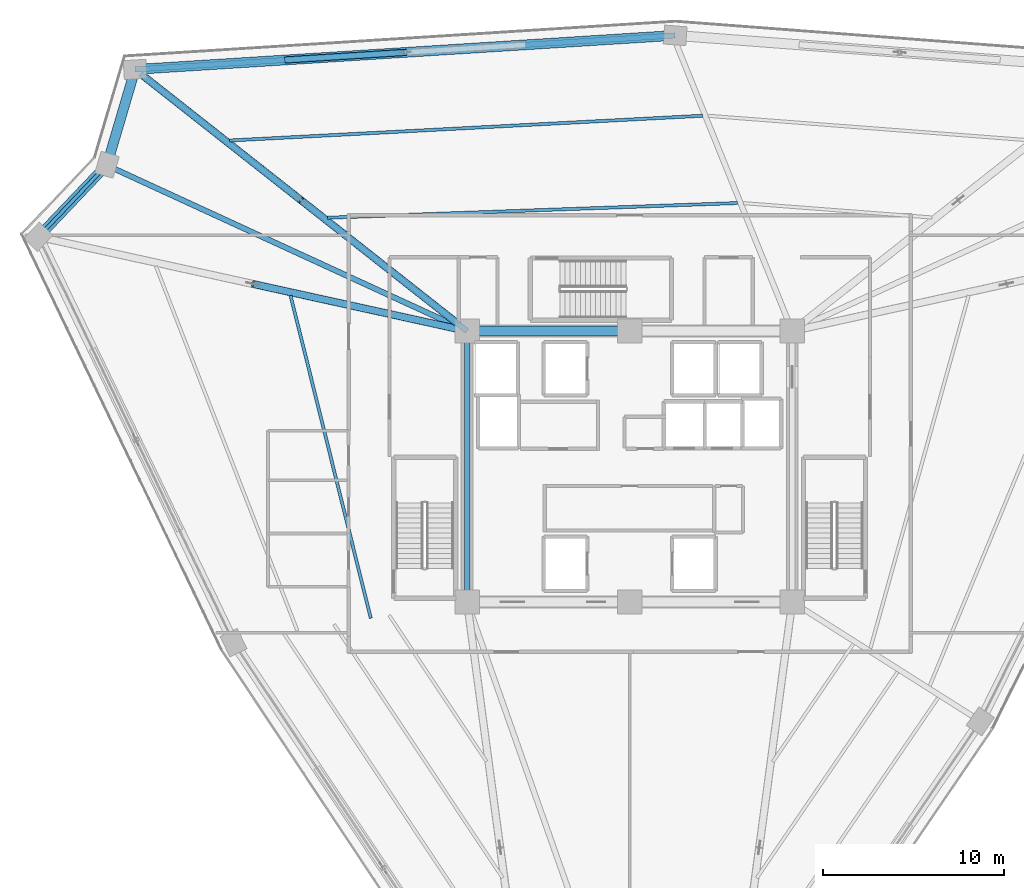
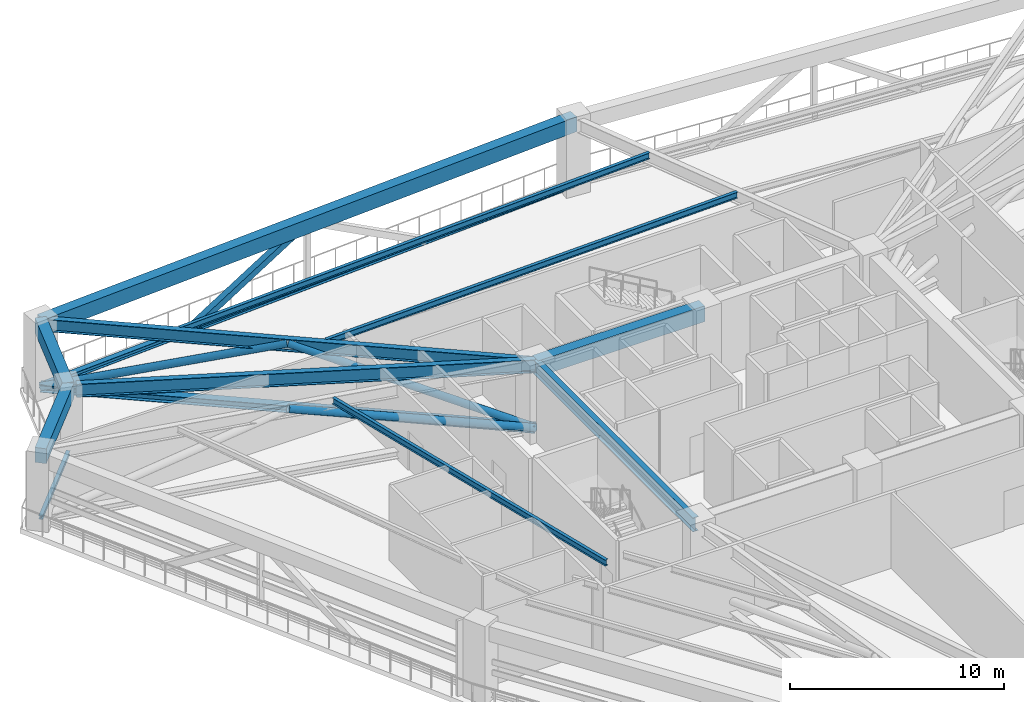
# One storey, part 6 of 25: 10 beams, 7 members.
"""IFC4 building model written with IfcOpenShell, lengths in metres."""

import ifcopenshell
import ifcopenshell.guid

model = None  # the IFC model being written
_history = None  # IfcOwnerHistory: only IFC2X3 demands one
_inside = {}  # id of a spatial element -> (the spatial element, [elements in it])
_under = {}  # id of a project, library or spatial element -> (it, [spatial elements below it])
_declared = {}  # id of a project -> (the project, [libraries it declares])
_typed = {}  # id of a type object -> (the type object, [elements of that type])
_made_of = {}  # id of a material, layer set ... -> (it, [elements and type objects made of it])


def new_model(schema):
    """Start an empty IFC model of exactly this schema.

    Asked for "IFC4X3", IfcOpenShell would pick the latest addendum, in which some entities
    have other attributes; the version numbers below select the first issue.
    IFC2X3 requires an IfcOwnerHistory on every rooted entity: one is made here for all.
    """
    global model, _history
    if schema == "IFC4X3":
        model = ifcopenshell.file(schema_version=(4, 3, 0, 0))
    else:
        model = ifcopenshell.file(schema=schema)
    _inside.clear()
    _under.clear()
    _declared.clear()
    _typed.clear()
    _made_of.clear()
    _history = None
    if model.schema == "IFC2X3":
        org = make("IfcOrganization", Name="unknown")
        user = make(
            "IfcPersonAndOrganization",
            ThePerson=make("IfcPerson", FamilyName="unknown"),
            TheOrganization=org,
        )
        app = make(
            "IfcApplication",
            ApplicationDeveloper=org,
            Version="unknown",
            ApplicationFullName="unknown",
            ApplicationIdentifier="unknown",
        )
        _history = make(
            "IfcOwnerHistory",
            OwningUser=user,
            OwningApplication=app,
            ChangeAction="ADDED",
            CreationDate=0,
        )
    return model


def make(cls, **values):
    """One entity of the class cls with the attributes given. An attribute that is None is left unset."""
    return model.create_entity(
        cls, **{name: value for name, value in values.items() if value is not None}
    )


def rooted(cls, **values):
    """An entity with a GlobalId (a new one), such as an element, a storey or a relation."""
    return make(cls, GlobalId=ifcopenshell.guid.new(), OwnerHistory=_history, **values)


def si_unit(unit_type, name, prefix=None):
    """IfcSIUnit, for example si_unit("LENGTHUNIT", "METRE", prefix="MILLI")."""
    return make("IfcSIUnit", UnitType=unit_type, Prefix=prefix, Name=name)


def assignment(units):
    """IfcUnitAssignment: the units of a project."""
    return None if units is None else make("IfcUnitAssignment", Units=units)


def point(xyz):
    """IfcCartesianPoint."""
    return None if xyz is None else make("IfcCartesianPoint", Coordinates=xyz)


def direction(xyz):
    """IfcDirection."""
    return None if xyz is None else make("IfcDirection", DirectionRatios=xyz)


def frame(location, z_axis=None, x_axis=None):
    """IfcAxis2Placement3D, a coordinate frame: its origin and axes. An axis left out is left unset."""
    return make(
        "IfcAxis2Placement3D",
        Location=point(location),
        Axis=direction(z_axis),
        RefDirection=direction(x_axis),
    )


def frame_2d(location, x_axis=None):
    """IfcAxis2Placement2D, a coordinate frame in the plane: its origin and x axis."""
    return make(
        "IfcAxis2Placement2D", Location=point(location), RefDirection=direction(x_axis)
    )


def origin():
    """The frame at (0, 0, 0) with its axes left unset."""
    return frame((0.0, 0.0, 0.0))


def origin_2d():
    """The frame at (0, 0) in the plane with its x axis left unset."""
    return frame_2d((0.0, 0.0))


def place(relative_to, where):
    """IfcLocalPlacement: puts the frame where relative to a parent placement (None: the world)."""
    return make(
        "IfcLocalPlacement", PlacementRelTo=relative_to, RelativePlacement=where
    )


def context(
    kind, dimensions, precision=None, world=None, true_north=None, identifier=None
):
    """IfcGeometricRepresentationContext, for example the 3D "Model" context."""
    return make(
        "IfcGeometricRepresentationContext",
        ContextIdentifier=identifier,
        ContextType=kind,
        CoordinateSpaceDimension=dimensions,
        Precision=precision,
        WorldCoordinateSystem=world,
        TrueNorth=true_north,
    )


def subcontext(parent, identifier, kind, view, scale=None):
    """IfcGeometricRepresentationSubContext, for example "Body" below "Model"."""
    return make(
        "IfcGeometricRepresentationSubContext",
        ContextIdentifier=identifier,
        ContextType=kind,
        ParentContext=parent,
        TargetScale=scale,
        TargetView=view,
    )


def project(units=None, contexts=None):
    """IfcProject with its units and contexts."""
    return rooted(
        "IfcProject",
        Name="project",
        RepresentationContexts=contexts,
        UnitsInContext=assignment(units),
    )


def spatial(cls, under=None, at=None, **own):
    """A site, building, storey or space (cls), placed at a placement, below another one or the project."""
    s = rooted(cls, ObjectPlacement=at, **own)
    if under is not None:
        _under.setdefault(under.id(), (under, []))[1].append(s)
    return s


def profile(cls, at=None, kind="AREA", **sizes):
    """A parametric profile (cls). Its sizes go by their IFC names, for example OverallWidth=200.0."""
    return make(cls, ProfileType=kind, Position=at, **sizes)


def rectangle(**sizes):
    """IfcRectangleProfileDef."""
    return profile("IfcRectangleProfileDef", **sizes)


def hollow_rectangle(**sizes):
    """IfcRectangleHollowProfileDef."""
    return profile("IfcRectangleHollowProfileDef", **sizes)


def hollow_circle(**sizes):
    """IfcCircleHollowProfileDef."""
    return profile("IfcCircleHollowProfileDef", **sizes)


def i_section(**sizes):
    """IfcIShapeProfileDef."""
    return profile("IfcIShapeProfileDef", **sizes)


def extrude(swept, where, along, depth):
    """IfcExtrudedAreaSolid: the profile swept, set in the frame where, extruded along a direction by depth."""
    return make(
        "IfcExtrudedAreaSolid",
        SweptArea=swept,
        Position=where,
        ExtrudedDirection=direction(along),
        Depth=depth,
    )


def shape(context_of_items, identifier, shape_type, items):
    """IfcShapeRepresentation: the items that make up one representation, for example the "Body"."""
    return make(
        "IfcShapeRepresentation",
        ContextOfItems=context_of_items,
        RepresentationIdentifier=identifier,
        RepresentationType=shape_type,
        Items=items,
    )


def source(mapping_origin, context_of_items, identifier, shape_type, items):
    """IfcRepresentationMap: a shape defined once, which mapped items show again and again."""
    return make(
        "IfcRepresentationMap",
        MappingOrigin=mapping_origin,
        MappedRepresentation=shape(context_of_items, identifier, shape_type, items),
    )


def transform(
    local_origin,
    x_axis=None,
    y_axis=None,
    z_axis=None,
    scale=None,
    scale2=None,
    scale3=None,
    uniform=True,
):
    """IfcCartesianTransformationOperator3D, or its non-uniform kind. x_axis, y_axis, z_axis: its Axis1, 2, 3."""
    if uniform:
        return make(
            "IfcCartesianTransformationOperator3D",
            Axis1=direction(x_axis),
            Axis2=direction(y_axis),
            LocalOrigin=point(local_origin),
            Scale=scale,
            Axis3=direction(z_axis),
        )
    return make(
        "IfcCartesianTransformationOperator3DnonUniform",
        Axis1=direction(x_axis),
        Axis2=direction(y_axis),
        LocalOrigin=point(local_origin),
        Scale=scale,
        Axis3=direction(z_axis),
        Scale2=scale2,
        Scale3=scale3,
    )


def mapped(mapping_source, mapping_target):
    """IfcMappedItem: shows the shape of a source again, moved by a transform."""
    return make(
        "IfcMappedItem", MappingSource=mapping_source, MappingTarget=mapping_target
    )


def material(Name=None, Category=None):
    """IfcMaterial."""
    return make("IfcMaterial", Name=Name, Category=Category)


def material_profile(
    of_material, cross_section, Name=None, Category=None, Priority=None
):
    """IfcMaterialProfile: a cross section and its material."""
    return make(
        "IfcMaterialProfile",
        Name=Name,
        Material=of_material,
        Profile=cross_section,
        Priority=Priority,
        Category=Category,
    )


def profile_set(profiles, Name=None, composite=None):
    """IfcMaterialProfileSet."""
    return make(
        "IfcMaterialProfileSet",
        Name=Name,
        MaterialProfiles=profiles,
        CompositeProfile=composite,
    )


def made_of(thing, what):
    """Note that an element or type object is made of a material, layer set ...; save() writes the relation."""
    if what is not None:
        _made_of.setdefault(what.id(), (what, []))[1].append(thing)
    return thing


def type_object(cls, material=None, **own):
    """A type object (cls), such as IfcWallType, which elements share."""
    return made_of(rooted(cls, **own), material)


def element(
    cls,
    number,
    at=None,
    inside=None,
    cuts=None,
    type_object=None,
    material=None,
    context=None,
    identifier="Body",
    shape_type=None,
    held_by="IfcProductDefinitionShape",
    body=None,
    shapes=None,
    **own,
):
    """One element of the class cls, such as IfcWall. Its Tag is "e" and its number.

    at: its placement. inside: the storey or other place that contains it. cuts: it is an
    opening in that element (IfcRelVoidsElement). A single representation is given by context,
    identifier, shape_type and body (its items); several are given by shapes. held_by: the class
    of the entity that holds the representations. save() writes the other relations.
    """
    e = rooted(cls, Tag="e%d" % number, ObjectPlacement=at, **own)
    if body is not None:
        shapes = [shape(context, identifier, shape_type, body)]
    if shapes is not None:
        e.Representation = make(held_by, Representations=shapes)
    if inside is not None:
        _inside.setdefault(inside.id(), (inside, []))[1].append(e)
    if cuts is not None:
        rooted(
            "IfcRelVoidsElement", RelatingBuildingElement=cuts, RelatedOpeningElement=e
        )
    if type_object is not None:
        _typed.setdefault(type_object.id(), (type_object, []))[1].append(e)
    return made_of(e, material)


def aggregate(whole, parts):
    """IfcRelAggregates: a whole, such as a stair, and the parts it consists of."""
    return rooted("IfcRelAggregates", RelatingObject=whole, RelatedObjects=parts)


def save(model, path):
    """Write the relations noted so far, then the file.

    IfcRelAggregates (storeys below a building ...), IfcRelContainedInSpatialStructure (elements
    in a storey), IfcRelDefinesByType, IfcRelAssociatesMaterial and IfcRelDeclares: one each for
    every whole, place, type object, material and project.
    """
    for whole, parts in _under.values():
        aggregate(whole, parts)
    for where, things in _inside.values():
        rooted(
            "IfcRelContainedInSpatialStructure",
            RelatedElements=things,
            RelatingStructure=where,
        )
    for kind, things in _typed.values():
        rooted("IfcRelDefinesByType", RelatedObjects=things, RelatingType=kind)
    for what, things in _made_of.values():
        rooted("IfcRelAssociatesMaterial", RelatedObjects=things, RelatingMaterial=what)
    for by, libraries in _declared.values():
        rooted("IfcRelDeclares", RelatingContext=by, RelatedDefinitions=libraries)
    model.write(path)


model = new_model("IFC4")

# Units and contexts
model_context = context("Model", 3, precision=1e-05, world=origin(), true_north=direction((0.0, 1.0)))
body_context = subcontext(model_context, "Body", "Model", "MODEL_VIEW")
ifc_project = project(units=[si_unit("LENGTHUNIT", "METRE"), si_unit("AREAUNIT", "SQUARE_METRE"), si_unit("VOLUMEUNIT", "CUBIC_METRE"), si_unit("PLANEANGLEUNIT", "RADIAN"), si_unit("MASSUNIT", "GRAM", prefix="KILO")], contexts=[model_context])

# Site, building, storey
site_placement = place(None, origin())
site = spatial("IfcSite", under=ifc_project, at=site_placement, CompositionType="ELEMENT")
building_placement = place(site_placement, origin())
building = spatial("IfcBuilding", under=site, at=building_placement, Name="Liaohun Quay Tower", CompositionType="ELEMENT")
storey_placement = place(building_placement, frame((0.0, 0.0, 231.75)))
storey = spatial("IfcBuildingStorey", under=building, at=storey_placement, Name="L60", CompositionType="ELEMENT", Elevation=231.75)

# Beams
ifc_material_1 = material(Name="Steel Q355D", Category="steel")
ifc_material_profile_1 = material_profile(ifc_material_1, i_section(OverallWidth=0.300048828125, OverallDepth=0.800048828125, WebThickness=0.013916015625, FlangeThickness=0.02587890625, at=origin_2d()), Name="HN800x300x14x26")
ifc_profile_set_1 = profile_set([ifc_material_profile_1], Name="Steel Q355D")
beam_type_1 = type_object("IfcBeamType", Name="BM-RAD-M1", PredefinedType="BEAM", material=ifc_profile_set_1)
shared_shape_1 = source(origin(), body_context, "Body", "SweptSolid", [
    extrude(i_section(OverallWidth=0.300048828125, OverallDepth=0.800048828125, WebThickness=0.013916015625, FlangeThickness=0.02587890625, at=origin_2d()), origin(), (0.0, 0.0, 1.0), 15.0),
])
beam_1_placement = place(storey_placement, frame((51.0, 61.5, 3.919921875), z_axis=(0.0, -1.0, 0.0), x_axis=(1.0, 0.0, 0.0)))
element("IfcBeam", 1, at=beam_1_placement, inside=storey, type_object=beam_type_1, Name="L60 Core Coupling/Ring Beam CC6-CC1", PredefinedType="BEAM", context=body_context, shape_type="MappedRepresentation", body=[
    mapped(shared_shape_1, transform((0.0, 0.0, 0.0), x_axis=(1.0, 0.0, 0.0), y_axis=(0.0, 1.0, 0.0), z_axis=(0.0, 0.0, 1.0), scale=1.0)),
])
ifc_material_2 = material(Name="Concrete C55", Category="concrete")
ifc_material_profile_2 = material_profile(ifc_material_2, rectangle(XDim=0.550048828125, YDim=0.89990234375, at=origin_2d()), Name="RC550x900")
ifc_profile_set_2 = profile_set([ifc_material_profile_2], Name="Concrete C55")
beam_type_2 = type_object("IfcBeamType", Name="BM-CPL-2", PredefinedType="LINTEL", material=ifc_profile_set_2)
shared_shape_2 = source(origin(), body_context, "Body", "SweptSolid", [
    extrude(rectangle(XDim=0.550048828125, YDim=0.89990234375, at=origin_2d()), origin(), (0.0, 0.0, 1.0), 9.0),
])
beam_2_placement = place(storey_placement, frame((60.0, 61.5, 3.8701171875), z_axis=(-1.0, 0.0, 0.0), x_axis=(0.0, -1.0, 0.0)))
element("IfcBeam", 2, at=beam_2_placement, inside=storey, type_object=beam_type_2, Name="L60 Core Coupling/Ring Beam CC5-CC6", PredefinedType="LINTEL", context=body_context, shape_type="MappedRepresentation", body=[
    mapped(shared_shape_2, transform((0.0, 0.0, 0.0), x_axis=(1.0, 0.0, 0.0), y_axis=(0.0, 1.0, 0.0), z_axis=(0.0, 0.0, 1.0), scale=1.0)),
])
ifc_material_3 = material(Name="Precast concrete C50", Category="concrete")
ifc_material_profile_3 = material_profile(ifc_material_3, rectangle(XDim=0.550048828125, YDim=0.85009765625, at=origin_2d()), Name="RC550x850")
ifc_profile_set_3 = profile_set([ifc_material_profile_3], Name="Precast concrete C50")
beam_type_3 = type_object("IfcBeamType", Name="BM-SPD-Z3", PredefinedType="SPANDREL", material=ifc_profile_set_3)
shared_shape_3 = source(origin(), body_context, "Body", "SweptSolid", [
    extrude(rectangle(XDim=0.550048828125, YDim=0.85009765625, at=origin_2d()), origin(), (0.0, 0.0, 1.0), 5.5087890625),
])
beam_3_placement = place(storey_placement, frame((27.264892578125, 66.717041015625, 3.89501953125), z_axis=(0.689293209383, 0.724482485294, 0.0), x_axis=(-0.724482485294, 0.689293209383, 0.0)))
element("IfcBeam", 3, at=beam_3_placement, inside=storey, type_object=beam_type_3, Name="L60 Precast Spandrel Beam PC03-PC04", PredefinedType="SPANDREL", context=body_context, shape_type="MappedRepresentation", body=[
    mapped(shared_shape_3, transform((0.0, 0.0, 0.0), x_axis=(1.0, 0.0, 0.0), y_axis=(0.0, 1.0, 0.0), z_axis=(0.0, 0.0, 1.0), scale=1.0)),
])
shared_shape_4 = source(origin(), body_context, "Body", "SweptSolid", [
    extrude(rectangle(XDim=0.550048828125, YDim=0.85009765625, at=origin_2d()), origin(), (0.0, 0.0, 1.0), 5.4990234375),
])
beam_4_placement = place(storey_placement, frame((31.06201171875, 70.7080078125, 3.89501953125), z_axis=(0.282586937283, 0.959241691586, 0.0), x_axis=(-0.959241691586, 0.282586937283, 0.0)))
element("IfcBeam", 4, at=beam_4_placement, inside=storey, type_object=beam_type_3, Name="L60 Precast Spandrel Beam PC04-PC05", PredefinedType="SPANDREL", context=body_context, shape_type="MappedRepresentation", body=[
    mapped(shared_shape_4, transform((0.0, 0.0, 0.0), x_axis=(1.0, 0.0, 0.0), y_axis=(0.0, 1.0, 0.0), z_axis=(0.0, 0.0, 1.0), scale=1.0)),
])
shared_shape_5 = source(origin(), body_context, "Body", "SweptSolid", [
    extrude(rectangle(XDim=0.550048828125, YDim=0.85009765625, at=origin_2d()), origin(), (0.0, 0.0, 1.0), 29.96142578125),
])
beam_5_placement = place(storey_placement, frame((32.615966796875, 75.98291015625, 3.89501953125), z_axis=(0.998016873905, 0.062946957037, 0.0), x_axis=(-0.062946957037, 0.998016873905, 0.0)))
element("IfcBeam", 5, at=beam_5_placement, inside=storey, type_object=beam_type_3, Name="L60 Precast Spandrel Beam PC05-PC06", PredefinedType="SPANDREL", context=body_context, shape_type="MappedRepresentation", body=[
    mapped(shared_shape_5, transform((0.0, 0.0, 0.0), x_axis=(1.0, 0.0, 0.0), y_axis=(0.0, 1.0, 0.0), z_axis=(0.0, 0.0, 1.0), scale=1.0)),
])
ifc_material_profile_4 = material_profile(ifc_material_1, i_section(OverallWidth=0.300048828125, OverallDepth=0.75, WebThickness=0.013916015625, FlangeThickness=0.02587890625, at=origin_2d()), Name="HN750x300x14x26")
ifc_profile_set_4 = profile_set([ifc_material_profile_4], Name="Steel Q355D")
beam_type_4 = type_object("IfcBeamType", Name="BM-RAD-M2", PredefinedType="BEAM", material=ifc_profile_set_4)
shared_shape_6 = source(origin(), body_context, "Body", "SweptSolid", [
    extrude(i_section(OverallWidth=0.300048828125, OverallDepth=0.75, WebThickness=0.013916015625, FlangeThickness=0.02587890625, at=origin_2d()), origin(), (0.0, 0.0, 1.0), 21.5947265625),
])
beam_6_placement = place(storey_placement, frame((51.0, 61.5, 3.945068359375), z_axis=(-0.908503930052, 0.417876308349, 0.0), x_axis=(-0.417876308349, -0.908503930052, 0.0)))
element("IfcBeam", 6, at=beam_6_placement, inside=storey, type_object=beam_type_4, Name="L60 Radial Primary Girder CC6-PC04", PredefinedType="BEAM", context=body_context, shape_type="MappedRepresentation", body=[
    mapped(shared_shape_6, transform((0.0, 0.0, 0.0), x_axis=(1.0, 0.0, 0.0), y_axis=(0.0, 1.0, 0.0), z_axis=(0.0, 0.0, 1.0), scale=1.0)),
])
ifc_material_profile_5 = material_profile(ifc_material_1, i_section(OverallWidth=0.300048828125, OverallDepth=0.699951171875, WebThickness=0.012939453125, FlangeThickness=0.02392578125, at=origin_2d()), Name="HN700x300x13x24")
ifc_profile_set_5 = profile_set([ifc_material_profile_5], Name="Steel Q355D")
beam_type_5 = type_object("IfcBeamType", Name="BM-RAD-U1", PredefinedType="BEAM", material=ifc_profile_set_5)
shared_shape_7 = source(origin(), body_context, "Body", "SweptSolid", [
    extrude(i_section(OverallWidth=0.300048828125, OverallDepth=0.699951171875, WebThickness=0.012939453125, FlangeThickness=0.02392578125, at=origin_2d()), origin(), (0.0, 0.0, 1.0), 23.015625),
])
beam_7_placement = place(storey_placement, frame((51.0, 61.5, 3.969970703125), z_axis=(-0.785685551866, 0.618626069278, 0.0), x_axis=(-0.618626069278, -0.785685551866, 0.0)))
element("IfcBeam", 7, at=beam_7_placement, inside=storey, type_object=beam_type_5, Name="L60 Radial Primary Girder CC6-PC05", PredefinedType="BEAM", context=body_context, shape_type="MappedRepresentation", body=[
    mapped(shared_shape_7, transform((0.0, 0.0, 0.0), x_axis=(1.0, 0.0, 0.0), y_axis=(0.0, 1.0, 0.0), z_axis=(0.0, 0.0, 1.0), scale=1.0)),
])
ifc_material_profile_6 = material_profile(ifc_material_1, i_section(OverallWidth=0.175048828125, OverallDepth=0.35009765625, WebThickness=0.007080078125, FlangeThickness=0.010986328125, at=origin_2d()), Name="HN350x175x7x11")
ifc_profile_set_6 = profile_set([ifc_material_profile_6], Name="Steel Q355D")
beam_type_6 = type_object("IfcBeamType", Name="BM-SEC-J3", PredefinedType="JOIST", material=ifc_profile_set_6)
shared_shape_8 = source(origin(), body_context, "Body", "SweptSolid", [
    extrude(i_section(OverallWidth=0.175048828125, OverallDepth=0.35009765625, WebThickness=0.007080078125, FlangeThickness=0.010986328125, at=origin_2d()), origin(), (0.0, 0.0, 1.0), 18.418701171875),
])
beam_8_placement = place(storey_placement, frame((45.666015625, 45.595947265625, 4.14501953125), z_axis=(-0.241163090818, 0.970484602468, 0.0), x_axis=(-0.970484602468, -0.241163090818, 0.0)))
element("IfcBeam", 8, at=beam_8_placement, inside=storey, type_object=beam_type_6, Name="L60 Wing Secondary Floor Joist SJ-04", PredefinedType="JOIST", context=body_context, shape_type="MappedRepresentation", body=[
    mapped(shared_shape_8, transform((0.0, 0.0, 0.0), x_axis=(1.0, 0.0, 0.0), y_axis=(0.0, 1.0, 0.0), z_axis=(0.0, 0.0, 1.0), scale=1.0)),
])
shared_shape_9 = source(origin(), body_context, "Body", "SweptSolid", [
    extrude(i_section(OverallWidth=0.175048828125, OverallDepth=0.35009765625, WebThickness=0.007080078125, FlangeThickness=0.010986328125, at=origin_2d()), origin(), (0.0, 0.0, 1.0), 22.716796875),
])
beam_9_placement = place(storey_placement, frame((43.27490234375, 67.77294921875, 4.14501953125), z_axis=(0.999357861205, 0.035831065398, 0.0), x_axis=(-0.035831065398, 0.999357861205, 0.0)))
element("IfcBeam", 9, at=beam_9_placement, inside=storey, type_object=beam_type_6, Name="L60 Wing Secondary Floor Joist SJ-06", PredefinedType="JOIST", context=body_context, shape_type="MappedRepresentation", body=[
    mapped(shared_shape_9, transform((0.0, 0.0, 0.0), x_axis=(1.0, 0.0, 0.0), y_axis=(0.0, 1.0, 0.0), z_axis=(0.0, 0.0, 1.0), scale=1.0)),
])
shared_shape_10 = source(origin(), body_context, "Body", "SweptSolid", [
    extrude(i_section(OverallWidth=0.175048828125, OverallDepth=0.35009765625, WebThickness=0.007080078125, FlangeThickness=0.010986328125, at=origin_2d()), origin(), (0.0, 0.0, 1.0), 26.21484375),
])
beam_10_placement = place(storey_placement, frame((37.845947265625, 72.048095703125, 4.14501953125), z_axis=(0.998629843216, 0.052330070121, 0.0), x_axis=(-0.052330070121, 0.998629843216, 0.0)))
element("IfcBeam", 10, at=beam_10_placement, inside=storey, type_object=beam_type_6, Name="L60 Wing Secondary Floor Joist SJ-07", PredefinedType="JOIST", context=body_context, shape_type="MappedRepresentation", body=[
    mapped(shared_shape_10, transform((0.0, 0.0, 0.0), x_axis=(1.0, 0.0, 0.0), y_axis=(0.0, 1.0, 0.0), z_axis=(0.0, 0.0, 1.0), scale=1.0)),
])

# Members
ifc_material_4 = material(Name="Steel Q420D", Category="steel")
ifc_material_profile_7 = material_profile(ifc_material_4, hollow_circle(Radius=0.202880859375, WallThickness=0.01611328125, at=origin_2d()), Name="CHS406x16")
ifc_profile_set_7 = profile_set([ifc_material_profile_7], Name="Steel Q420D")
member_type_1 = type_object("IfcMemberType", Name="MEM-OUT-DG2", PredefinedType="BRACE", material=ifc_profile_set_7)
shared_shape_11 = source(origin(), body_context, "Body", "SweptSolid", [
    extrude(hollow_circle(Radius=0.202880859375, WallThickness=0.01611328125, at=origin_2d()), origin(), (0.0, 0.0, 1.0), 12.6923828125),
])
member_1_placement = place(storey_placement, frame((51.0, 61.5, 0.35009765625), z_axis=(-0.934973639489, 0.205472224515, 0.289146084901), x_axis=(-0.214640601115, -0.976693100392, 0.0)))
element("IfcMember", 11, at=member_1_placement, inside=storey, type_object=member_type_1, Name="L60 Outrigger Diagonal OD-02A", PredefinedType="BRACE", context=body_context, shape_type="MappedRepresentation", body=[
    mapped(shared_shape_11, transform((0.0, 0.0, 0.0), x_axis=(1.0, 0.0, 0.0), y_axis=(0.0, 1.0, 0.0), z_axis=(0.0, 0.0, 1.0), scale=1.0)),
])
ifc_material_profile_8 = material_profile(ifc_material_4, i_section(OverallWidth=0.407958984375, OverallDepth=0.39990234375, WebThickness=0.02099609375, FlangeThickness=0.02099609375, at=origin_2d()), Name="HW400x408x21x21")
ifc_profile_set_8 = profile_set([ifc_material_profile_8], Name="Steel Q420D")
member_type_2 = type_object("IfcMemberType", Name="MEM-OUT-CH2", PredefinedType="CHORD", material=ifc_profile_set_8)
shared_shape_12 = source(origin(), body_context, "Body", "SweptSolid", [
    extrude(i_section(OverallWidth=0.407958984375, OverallDepth=0.39990234375, WebThickness=0.02099609375, FlangeThickness=0.02099609375, at=origin_2d()), origin(), (0.0, 0.0, 1.0), 23.403564453125),
])
member_2_placement = place(storey_placement, frame((51.0, 61.5, 0.35009765625), z_axis=(-0.785522405074, 0.618833217537, 0.0), x_axis=(-0.618833217537, -0.785522405074, 0.0)))
element("IfcMember", 12, at=member_2_placement, inside=storey, type_object=member_type_2, Name="L60 Outrigger Bottom Chord OC-03", PredefinedType="CHORD", context=body_context, shape_type="MappedRepresentation", body=[
    mapped(shared_shape_12, transform((0.0, 0.0, 0.0), x_axis=(1.0, 0.0, 0.0), y_axis=(0.0, 1.0, 0.0), z_axis=(0.0, 0.0, 1.0), scale=1.0)),
])
shared_shape_13 = source(origin(), body_context, "Body", "SweptSolid", [
    extrude(hollow_circle(Radius=0.202880859375, WallThickness=0.01611328125, at=origin_2d()), origin(), (0.0, 0.0, 1.0), 12.263916015625),
])
member_3_placement = place(storey_placement, frame((51.0, 61.5, 0.35009765625), z_axis=(-0.749503909308, 0.590505563395, 0.299244163738), x_axis=(-0.618864034971, -0.785498126172, 0.0)))
element("IfcMember", 13, at=member_3_placement, inside=storey, type_object=member_type_1, Name="L60 Outrigger Diagonal OD-03A", PredefinedType="BRACE", context=body_context, shape_type="MappedRepresentation", body=[
    mapped(shared_shape_13, transform((0.0, 0.0, 0.0), x_axis=(1.0, 0.0, 0.0), y_axis=(0.0, 1.0, 0.0), z_axis=(0.0, 0.0, 1.0), scale=1.0)),
])
shared_shape_14 = source(origin(), body_context, "Body", "SweptSolid", [
    extrude(hollow_circle(Radius=0.202880859375, WallThickness=0.01611328125, at=origin_2d()), origin(), (0.0, 0.0, 1.0), 12.263671875),
])
member_4_placement = place(storey_placement, frame((41.80810546875, 68.741943359375, 4.02001953125), z_axis=(-0.749547875273, 0.590444886795, -0.299253769119), x_axis=(-0.618802398065, -0.785546683622, 0.0)))
element("IfcMember", 14, at=member_4_placement, inside=storey, type_object=member_type_1, Name="L60 Outrigger Diagonal OD-03B", PredefinedType="BRACE", context=body_context, shape_type="MappedRepresentation", body=[
    mapped(shared_shape_14, transform((0.0, 0.0, 0.0), x_axis=(1.0, 0.0, 0.0), y_axis=(0.0, 1.0, 0.0), z_axis=(0.0, 0.0, 1.0), scale=1.0)),
])
ifc_material_profile_9 = material_profile(ifc_material_1, i_section(OverallWidth=0.300048828125, OverallDepth=0.300048828125, WebThickness=0.010009765625, FlangeThickness=0.014892578125, at=origin_2d()), Name="HW300x300x10x15")
ifc_profile_set_9 = profile_set([ifc_material_profile_9], Name="Steel Q355D")
member_type_3 = type_object("IfcMemberType", Name="MEM-BLT-CHD", PredefinedType="CHORD", material=ifc_profile_set_9)
shared_shape_15 = source(origin(), body_context, "Body", "SweptSolid", [
    extrude(i_section(OverallWidth=0.300048828125, OverallDepth=0.300048828125, WebThickness=0.010009765625, FlangeThickness=0.014892578125, at=origin_2d()), origin(), (0.0, 0.0, 1.0), 29.96142578125),
])
member_5_placement = place(storey_placement, frame((32.615966796875, 75.98291015625, 0.35009765625), z_axis=(0.998016873905, 0.062946957037, 0.0), x_axis=(-0.062946957037, 0.998016873905, 0.0)))
element("IfcMember", 15, at=member_5_placement, inside=storey, type_object=member_type_3, Name="L60 Belt Truss Bottom Chord BC-1-03", PredefinedType="CHORD", context=body_context, shape_type="MappedRepresentation", body=[
    mapped(shared_shape_15, transform((0.0, 0.0, 0.0), x_axis=(1.0, 0.0, 0.0), y_axis=(0.0, 1.0, 0.0), z_axis=(0.0, 0.0, 1.0), scale=1.0)),
])
ifc_material_profile_10 = material_profile(ifc_material_1, hollow_rectangle(XDim=0.35009765625, YDim=0.35009765625, WallThickness=0.01611328125, at=origin_2d()), Name="SHS350x350x16")
ifc_profile_set_10 = profile_set([ifc_material_profile_10], Name="Steel Q355D")
member_type_4 = type_object("IfcMemberType", Name="MEM-BLT-DG2", PredefinedType="BRACE", material=ifc_profile_set_10)
shared_shape_16 = source(origin(), body_context, "Body", "SweptSolid", [
    extrude(hollow_rectangle(XDim=0.35009765625, YDim=0.35009765625, WallThickness=0.01611328125, at=origin_2d()), origin(), (0.0, 0.0, 1.0), 7.543701171875),
])
member_6_placement = place(storey_placement, frame((40.989013671875, 76.510986328125, 0.35009765625), z_axis=(0.871957147892, 0.055017152931, 0.486481084034), x_axis=(-0.062970942854, 0.998015360782, 0.0)))
element("IfcMember", 16, at=member_6_placement, inside=storey, type_object=member_type_4, Name="L60 Belt Truss Diagonal BD-03A", PredefinedType="BRACE", context=body_context, shape_type="MappedRepresentation", body=[
    mapped(shared_shape_16, transform((0.0, 0.0, 0.0), x_axis=(1.0, 0.0, 0.0), y_axis=(0.0, 1.0, 0.0), z_axis=(0.0, 0.0, 1.0), scale=1.0)),
])
ifc_material_profile_11 = material_profile(ifc_material_1, i_section(OverallWidth=0.199951171875, OverallDepth=0.199951171875, WebThickness=0.008056640625, FlangeThickness=0.011962890625, at=origin_2d()), Name="HW200x200x8x12")
ifc_profile_set_11 = profile_set([ifc_material_profile_11], Name="Steel Q355D")
member_type_5 = type_object("IfcMemberType", Name="MEM-HDR-TRM", PredefinedType="STUD", material=ifc_profile_set_11)
shared_shape_17 = source(origin(), body_context, "Body", "SweptSolid", [
    extrude(i_section(OverallWidth=0.199951171875, OverallDepth=0.199951171875, WebThickness=0.008056640625, FlangeThickness=0.011962890625, at=origin_2d()), origin(), (0.0, 0.0, 1.0), 5.5087890625),
])
member_7_placement = place(storey_placement, frame((27.264892578125, 66.717041015625, 0.35009765625), z_axis=(0.689293209383, 0.724482485294, 0.0), x_axis=(-0.724482485294, 0.689293209383, 0.0)))
element("IfcMember", 17, at=member_7_placement, inside=storey, type_object=member_type_5, Name="L60 Refuge Notch Header Tie Stud HT-1-01", PredefinedType="STUD", context=body_context, shape_type="MappedRepresentation", body=[
    mapped(shared_shape_17, transform((0.0, 0.0, 0.0), x_axis=(1.0, 0.0, 0.0), y_axis=(0.0, 1.0, 0.0), z_axis=(0.0, 0.0, 1.0), scale=1.0)),
])

save(model, "model.ifc")
